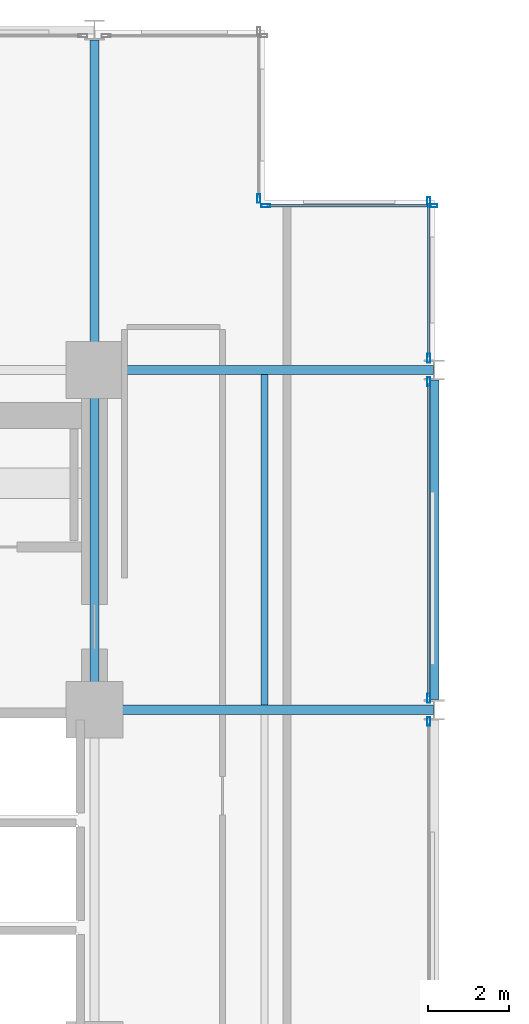
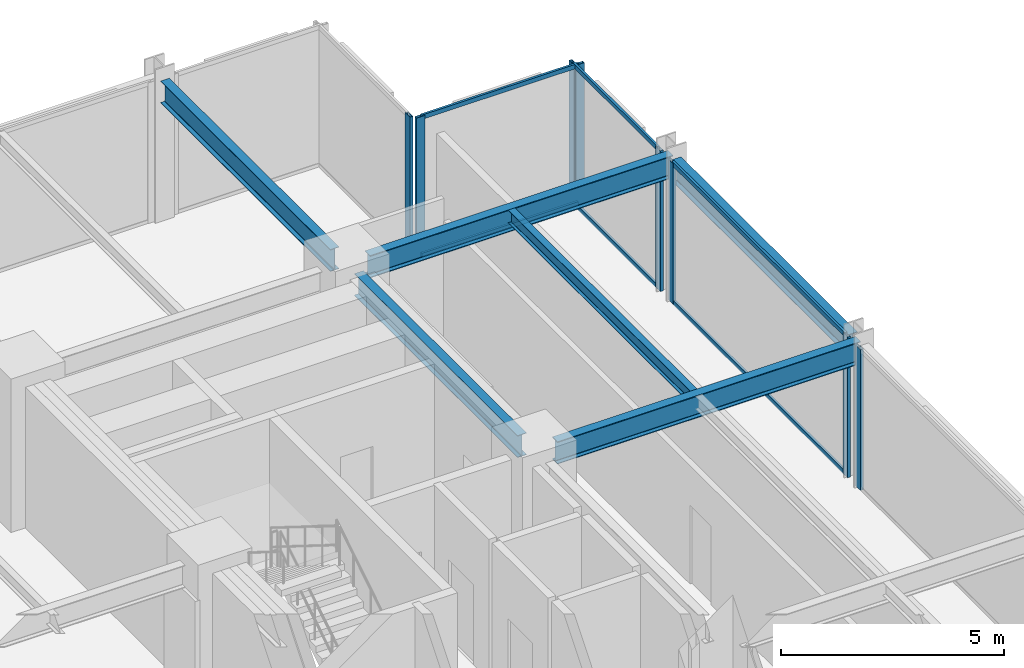
# One storey, part 18 of 26: 14 members, 6 beams, 5 elements without a shape of their own.
"""IFC4 building model written with IfcOpenShell, lengths in metres."""

from ifc_helpers import new_model, si_unit, direction, frame, origin, origin_2d, place, context, subcontext, project, spatial, hollow_rectangle, i_section, extrude, material, layer, layer_set, material_profile, profile_set, type_object, element, aggregate, save


model = new_model("IFC4")

# Units and contexts
model_context = context("Model", 3, precision=1e-05, world=origin(), true_north=direction((0.0, 1.0)))
body_context = subcontext(model_context, "Body", "Model", "MODEL_VIEW")
ifc_project = project(units=[si_unit("LENGTHUNIT", "METRE"), si_unit("AREAUNIT", "SQUARE_METRE"), si_unit("VOLUMEUNIT", "CUBIC_METRE"), si_unit("PLANEANGLEUNIT", "RADIAN"), si_unit("MASSUNIT", "GRAM", prefix="KILO")], contexts=[model_context])

# Site, building, storey
site_placement = place(None, origin())
site = spatial("IfcSite", under=ifc_project, at=site_placement, CompositionType="ELEMENT")
building_placement = place(site_placement, origin())
building = spatial("IfcBuilding", under=site, at=building_placement, Name="Nerrivon Quay Data Exchange", CompositionType="ELEMENT")
storey_placement = place(building_placement, frame((0.0, 0.0, 75.199951171875)))
storey = spatial("IfcBuildingStorey", under=building, at=storey_placement, Name="L17", CompositionType="ELEMENT", Elevation=75.199951171875)

# Beams
ifc_material_1 = material(Name="Steel Grade 350", Category="steel")
ifc_material_profile_1 = material_profile(ifc_material_1, i_section(OverallWidth=0.22900390625, OverallDepth=0.612060546875, WebThickness=0.011962890625, FlangeThickness=0.01953125, FilletRadius=0.013916015625, at=origin_2d()), Name="610UB125")
ifc_profile_set_1 = profile_set([ifc_material_profile_1], Name="Steel Grade 350")
beam_type_1 = type_object("IfcBeamType", Name="BM-G1-610UB125", PredefinedType="BEAM", material=ifc_profile_set_1)
for number, where, z_axis, x_axis, name in (
    (1, (17.340087890625, 33.60009765625, 3.5439453125), (1.0, 0.0, 0.0), (0.0, 1.0, 0.0), "L17 EW Girder Y=33.6 (16.8..25.2)"),
    (2, (17.340087890625, 42.0, 3.5439453125), (1.0, 0.0, 0.0), (0.0, 1.0, 0.0), "L17 EW Girder Y=42.0 (16.8..25.2)"),
):
    element("IfcBeam", number, at=place(storey_placement, frame(where, z_axis=z_axis, x_axis=x_axis)), inside=storey, type_object=beam_type_1, Name=name, PredefinedType="BEAM", context=body_context, shape_type="SweptSolid", body=[
        extrude(i_section(OverallWidth=0.22900390625, OverallDepth=0.612060546875, WebThickness=0.011962890625, FlangeThickness=0.01953125, FilletRadius=0.013916015625, at=origin_2d()), origin(), (0.0, 0.0, 1.0), 7.845947265625),
    ])
ifc_material_profile_2 = material_profile(ifc_material_1, i_section(OverallWidth=0.22802734375, OverallDepth=0.60205078125, WebThickness=0.010498046875, FlangeThickness=0.014892578125, FilletRadius=0.013916015625, at=origin_2d()), Name="610UB101")
ifc_profile_set_2 = profile_set([ifc_material_profile_2], Name="Steel Grade 350")
beam_type_2 = type_object("IfcBeamType", Name="BM-G2-610UB101", PredefinedType="BEAM", material=ifc_profile_set_2)
beam_1_placement = place(storey_placement, frame((16.800048828125, 34.139892578125, 3.549072265625), z_axis=(0.0, 1.0, 0.0), x_axis=(-1.0, 0.0, 0.0)))
element("IfcBeam", 3, at=beam_1_placement, inside=storey, type_object=beam_type_2, Name="L17 NS Girder X=16.8 (33.6..42.0)", PredefinedType="BEAM", context=body_context, shape_type="SweptSolid", body=[
    extrude(i_section(OverallWidth=0.22802734375, OverallDepth=0.60205078125, WebThickness=0.010498046875, FlangeThickness=0.014892578125, FilletRadius=0.013916015625, at=origin_2d()), origin(), (0.0, 0.0, 1.0), 7.320068359375),
])
beam_2_placement = place(storey_placement, frame((16.800048828125, 42.5400390625, 3.549072265625), z_axis=(0.0, 1.0, 0.0), x_axis=(-1.0, 0.0, 0.0)))
element("IfcBeam", 4, at=beam_2_placement, inside=storey, type_object=beam_type_2, Name="L17 NS Girder X=16.8 (42.0..50.4)", PredefinedType="BEAM", context=body_context, shape_type="SweptSolid", body=[
    extrude(i_section(OverallWidth=0.22802734375, OverallDepth=0.60205078125, WebThickness=0.010498046875, FlangeThickness=0.014892578125, FilletRadius=0.013916015625, at=origin_2d()), origin(), (0.0, 0.0, 1.0), 7.60986328125),
])
beam_3_placement = place(storey_placement, frame((25.199951171875, 33.85009765625, 3.549072265625), z_axis=(0.0, 1.0, 0.0), x_axis=(-1.0, 0.0, 0.0)))
element("IfcBeam", 5, at=beam_3_placement, inside=storey, type_object=beam_type_2, Name="L17 NS Girder X=25.2 (33.6..42.0)", PredefinedType="BEAM", context=body_context, shape_type="SweptSolid", body=[
    extrude(i_section(OverallWidth=0.22802734375, OverallDepth=0.60205078125, WebThickness=0.010498046875, FlangeThickness=0.014892578125, FilletRadius=0.013916015625, at=origin_2d()), origin(), (0.0, 0.0, 1.0), 7.89990234375),
])
ifc_material_profile_3 = material_profile(ifc_material_1, i_section(OverallWidth=0.172119140625, OverallDepth=0.35888671875, WebThickness=0.008056640625, FlangeThickness=0.012939453125, FilletRadius=0.011474609375, at=origin_2d()), Name="360UB56.7")
ifc_profile_set_3 = profile_set([ifc_material_profile_3], Name="Steel Grade 350")
beam_type_3 = type_object("IfcBeamType", Name="BM-J3-360UB57", PredefinedType="JOIST", material=ifc_profile_set_3)
beam_4_placement = place(storey_placement, frame((21.0, 33.714599609375, 3.670654296875), z_axis=(0.0, 1.0, 0.0), x_axis=(-1.0, 0.0, 0.0)))
element("IfcBeam", 6, at=beam_4_placement, inside=storey, type_object=beam_type_3, Name="L17 Secondary Joist X=21.0 (33.6..42.0)", PredefinedType="JOIST", context=body_context, shape_type="SweptSolid", body=[
    extrude(i_section(OverallWidth=0.172119140625, OverallDepth=0.35888671875, WebThickness=0.008056640625, FlangeThickness=0.012939453125, FilletRadius=0.011474609375, at=origin_2d()), origin(), (0.0, 0.0, 1.0), 8.1708984375),
])

# Curtain wall, member
ifc_material_2 = material(Name="Anodised aluminium 6063-T6", Category="aluminium")
ifc_layer = layer(ifc_material_2, 0.219970703125)
ifc_layer_set = layer_set([ifc_layer], Name="Anodised aluminium 6063-T6")
curtain_wall_type = type_object("IfcCurtainWallType", Name="CW-SYS-01", PredefinedType="NOTDEFINED", material=ifc_layer_set)
curtain_wall_1_placement = place(storey_placement, origin())
curtain_wall_1 = element("IfcCurtainWall", 7, at=curtain_wall_1_placement, inside=storey, type_object=curtain_wall_type, Name="L17 Unitised Curtain Wall 27", PredefinedType="NOTDEFINED")
ifc_material_profile_4 = material_profile(ifc_material_2, hollow_rectangle(XDim=0.074951171875, YDim=0.219970703125, WallThickness=0.00390625, at=origin_2d()), Name="ALU-MULL-220x75")
ifc_profile_set_4 = profile_set([ifc_material_profile_4], Name="Anodised aluminium 6063-T6")
member_type_1 = type_object("IfcMemberType", Name="CWM-220x75", PredefinedType="MULLION", material=ifc_profile_set_4)
member_1_placement = place(storey_placement, frame((20.860107421875, 46.237548828125, 0.0), z_axis=(0.0, 0.0, 1.0), x_axis=(1.0, 0.0, 0.0)))
member_1 = element("IfcMember", 8, at=member_1_placement, type_object=member_type_1, Name="CW01 mullion 2", PredefinedType="MULLION", context=body_context, shape_type="SweptSolid", body=[
    extrude(hollow_rectangle(XDim=0.074951171875, YDim=0.219970703125, WallThickness=0.00390625, at=origin_2d()), origin(), (0.0, 0.0, 1.0), 3.85009765625),
])
aggregate(curtain_wall_1, [member_1])

# Curtain wall, members
curtain_wall_2_placement = place(storey_placement, origin())
curtain_wall_2 = element("IfcCurtainWall", 9, at=curtain_wall_2_placement, inside=storey, type_object=curtain_wall_type, Name="L17 Unitised Curtain Wall 28", PredefinedType="NOTDEFINED")
member_2_placement = place(storey_placement, frame((21.03759765625, 46.06005859375, 0.0), z_axis=(0.0, 0.0, 1.0), x_axis=(0.0, 1.0, 0.0)))
member_2 = element("IfcMember", 10, at=member_2_placement, type_object=member_type_1, Name="CW01 mullion 1", PredefinedType="MULLION", context=body_context, shape_type="SweptSolid", body=[
    extrude(hollow_rectangle(XDim=0.074951171875, YDim=0.219970703125, WallThickness=0.00390625, at=origin_2d()), origin(), (0.0, 0.0, 1.0), 3.85009765625),
])
member_3_placement = place(storey_placement, frame((25.16259765625, 46.06005859375, 0.0), z_axis=(0.0, 0.0, 1.0), x_axis=(0.0, 1.0, 0.0)))
member_3 = element("IfcMember", 11, at=member_3_placement, type_object=member_type_1, Name="CW01 mullion 2", PredefinedType="MULLION", context=body_context, shape_type="SweptSolid", body=[
    extrude(hollow_rectangle(XDim=0.074951171875, YDim=0.219970703125, WallThickness=0.00390625, at=origin_2d()), origin(), (0.0, 0.0, 1.0), 3.85009765625),
])

curtain_wall_3_placement = place(storey_placement, origin())
curtain_wall_3 = element("IfcCurtainWall", 12, at=curtain_wall_3_placement, inside=storey, type_object=curtain_wall_type, Name="L17 Unitised Curtain Wall 29", PredefinedType="NOTDEFINED")
member_4_placement = place(storey_placement, frame((25.06005859375, 46.16259765625, 0.0), z_axis=(0.0, 0.0, 1.0), x_axis=(1.0, 0.0, 0.0)))
member_4 = element("IfcMember", 13, at=member_4_placement, type_object=member_type_1, Name="CW01 mullion 1", PredefinedType="MULLION", context=body_context, shape_type="SweptSolid", body=[
    extrude(hollow_rectangle(XDim=0.074951171875, YDim=0.219970703125, WallThickness=0.00390625, at=origin_2d()), origin(), (0.0, 0.0, 1.0), 3.85009765625),
])
member_5_placement = place(storey_placement, frame((25.06005859375, 42.28759765625, 0.0), z_axis=(0.0, 0.0, 1.0), x_axis=(1.0, 0.0, 0.0)))
member_5 = element("IfcMember", 14, at=member_5_placement, type_object=member_type_1, Name="CW01 mullion 2", PredefinedType="MULLION", context=body_context, shape_type="SweptSolid", body=[
    extrude(hollow_rectangle(XDim=0.074951171875, YDim=0.219970703125, WallThickness=0.00390625, at=origin_2d()), origin(), (0.0, 0.0, 1.0), 3.85009765625),
])

curtain_wall_4_placement = place(storey_placement, origin())
curtain_wall_4 = element("IfcCurtainWall", 15, at=curtain_wall_4_placement, inside=storey, type_object=curtain_wall_type, Name="L17 Unitised Curtain Wall 30", PredefinedType="NOTDEFINED")
member_6_placement = place(storey_placement, frame((25.06005859375, 41.71240234375, 0.0), z_axis=(0.0, 0.0, 1.0), x_axis=(1.0, 0.0, 0.0)))
member_6 = element("IfcMember", 16, at=member_6_placement, type_object=member_type_1, Name="CW01 mullion 1", PredefinedType="MULLION", context=body_context, shape_type="SweptSolid", body=[
    extrude(hollow_rectangle(XDim=0.074951171875, YDim=0.219970703125, WallThickness=0.00390625, at=origin_2d()), origin(), (0.0, 0.0, 1.0), 3.85009765625),
])
member_7_placement = place(storey_placement, frame((25.06005859375, 33.887451171875, 0.0), z_axis=(0.0, 0.0, 1.0), x_axis=(1.0, 0.0, 0.0)))
member_7 = element("IfcMember", 17, at=member_7_placement, type_object=member_type_1, Name="CW01 mullion 2", PredefinedType="MULLION", context=body_context, shape_type="SweptSolid", body=[
    extrude(hollow_rectangle(XDim=0.074951171875, YDim=0.219970703125, WallThickness=0.00390625, at=origin_2d()), origin(), (0.0, 0.0, 1.0), 3.85009765625),
])

# Curtain wall, member
curtain_wall_5_placement = place(storey_placement, origin())
curtain_wall_5 = element("IfcCurtainWall", 18, at=curtain_wall_5_placement, inside=storey, type_object=curtain_wall_type, Name="L17 Unitised Curtain Wall 31", PredefinedType="NOTDEFINED")
member_8_placement = place(storey_placement, frame((25.06005859375, 33.3125, 0.0), z_axis=(0.0, 0.0, 1.0), x_axis=(1.0, 0.0, 0.0)))
member_8 = element("IfcMember", 19, at=member_8_placement, type_object=member_type_1, Name="CW01 mullion 1", PredefinedType="MULLION", context=body_context, shape_type="SweptSolid", body=[
    extrude(hollow_rectangle(XDim=0.074951171875, YDim=0.219970703125, WallThickness=0.00390625, at=origin_2d()), origin(), (0.0, 0.0, 1.0), 3.85009765625),
])
aggregate(curtain_wall_5, [member_8])

# Member
ifc_material_profile_5 = material_profile(ifc_material_2, hollow_rectangle(XDim=0.06005859375, YDim=0.1201171875, WallThickness=0.003173828125, at=origin_2d()), Name="ALU-TRAN-120x60")
ifc_profile_set_5 = profile_set([ifc_material_profile_5], Name="Anodised aluminium 6063-T6")
member_type_2 = type_object("IfcMemberType", Name="CWT-120x60", PredefinedType="USERDEFINED", material=ifc_profile_set_5)
member_9_placement = place(storey_placement, frame((21.074951171875, 46.06005859375, 0.032470703125), z_axis=(1.0, 0.0, 0.0), x_axis=(0.0, 1.0, 0.0)))
member_9 = element("IfcMember", 20, at=member_9_placement, type_object=member_type_2, Name="CW01 transom 1.1", ObjectType="TRANSOM", PredefinedType="USERDEFINED", context=body_context, shape_type="SweptSolid", body=[
    extrude(hollow_rectangle(XDim=0.06005859375, YDim=0.1201171875, WallThickness=0.003173828125, at=origin_2d()), origin(), (0.0, 0.0, 1.0), 4.050048828125),
])

member_10_placement = place(storey_placement, frame((21.074951171875, 46.06005859375, 3.817626953125), z_axis=(1.0, 0.0, 0.0), x_axis=(0.0, 1.0, 0.0)))
member_10 = element("IfcMember", 21, at=member_10_placement, type_object=member_type_2, Name="CW01 transom 1.2", ObjectType="TRANSOM", PredefinedType="USERDEFINED", context=body_context, shape_type="SweptSolid", body=[
    extrude(hollow_rectangle(XDim=0.06005859375, YDim=0.1201171875, WallThickness=0.003173828125, at=origin_2d()), origin(), (0.0, 0.0, 1.0), 4.050048828125),
])

aggregate(curtain_wall_2, [member_2, member_3, member_9, member_10])

member_11_placement = place(storey_placement, frame((25.06005859375, 46.125, 0.032470703125), z_axis=(0.0, -1.0, 0.0), x_axis=(1.0, 0.0, 0.0)))
member_11 = element("IfcMember", 22, at=member_11_placement, type_object=member_type_2, Name="CW01 transom 1.1", ObjectType="TRANSOM", PredefinedType="USERDEFINED", context=body_context, shape_type="SweptSolid", body=[
    extrude(hollow_rectangle(XDim=0.06005859375, YDim=0.1201171875, WallThickness=0.003173828125, at=origin_2d()), origin(), (0.0, 0.0, 1.0), 3.800048828125),
])

member_12_placement = place(storey_placement, frame((25.06005859375, 46.125, 3.817626953125), z_axis=(0.0, -1.0, 0.0), x_axis=(1.0, 0.0, 0.0)))
member_12 = element("IfcMember", 23, at=member_12_placement, type_object=member_type_2, Name="CW01 transom 1.2", ObjectType="TRANSOM", PredefinedType="USERDEFINED", context=body_context, shape_type="SweptSolid", body=[
    extrude(hollow_rectangle(XDim=0.06005859375, YDim=0.1201171875, WallThickness=0.003173828125, at=origin_2d()), origin(), (0.0, 0.0, 1.0), 3.800048828125),
])

aggregate(curtain_wall_3, [member_4, member_5, member_11, member_12])

member_13_placement = place(storey_placement, frame((25.06005859375, 41.675048828125, 0.032470703125), z_axis=(0.0, -1.0, 0.0), x_axis=(1.0, 0.0, 0.0)))
member_13 = element("IfcMember", 24, at=member_13_placement, type_object=member_type_2, Name="CW01 transom 1.1", ObjectType="TRANSOM", PredefinedType="USERDEFINED", context=body_context, shape_type="SweptSolid", body=[
    extrude(hollow_rectangle(XDim=0.06005859375, YDim=0.1201171875, WallThickness=0.003173828125, at=origin_2d()), origin(), (0.0, 0.0, 1.0), 7.75),
])

member_14_placement = place(storey_placement, frame((25.06005859375, 41.675048828125, 3.817626953125), z_axis=(0.0, -1.0, 0.0), x_axis=(1.0, 0.0, 0.0)))
member_14 = element("IfcMember", 25, at=member_14_placement, type_object=member_type_2, Name="CW01 transom 1.2", ObjectType="TRANSOM", PredefinedType="USERDEFINED", context=body_context, shape_type="SweptSolid", body=[
    extrude(hollow_rectangle(XDim=0.06005859375, YDim=0.1201171875, WallThickness=0.003173828125, at=origin_2d()), origin(), (0.0, 0.0, 1.0), 7.75),
])

aggregate(curtain_wall_4, [member_6, member_7, member_13, member_14])

save(model, "model.ifc")
